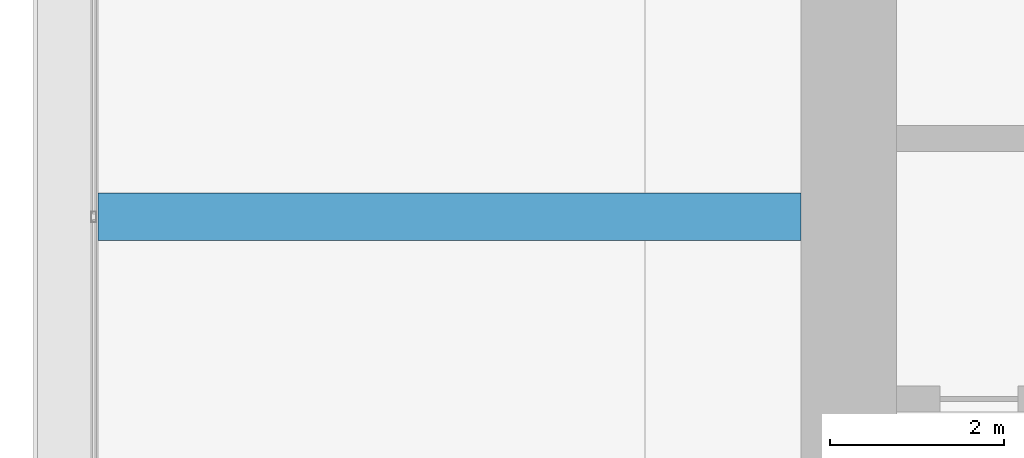
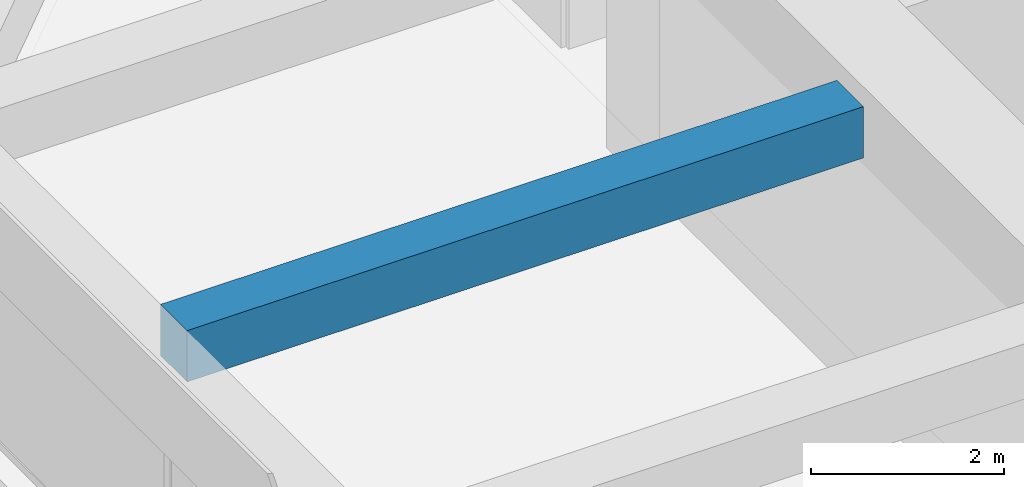
# One storey, part 17 of 44: 1 beam.
"""IFC4 building model written with IfcOpenShell, lengths in metres."""

import ifcopenshell
import ifcopenshell.guid

model = None  # the IFC model being written
_history = None  # IfcOwnerHistory: only IFC2X3 demands one
_inside = {}  # id of a spatial element -> (the spatial element, [elements in it])
_under = {}  # id of a project, library or spatial element -> (it, [spatial elements below it])
_declared = {}  # id of a project -> (the project, [libraries it declares])
_typed = {}  # id of a type object -> (the type object, [elements of that type])
_made_of = {}  # id of a material, layer set ... -> (it, [elements and type objects made of it])


def new_model(schema):
    """Start an empty IFC model of exactly this schema.

    Asked for "IFC4X3", IfcOpenShell would pick the latest addendum, in which some entities
    have other attributes; the version numbers below select the first issue.
    IFC2X3 requires an IfcOwnerHistory on every rooted entity: one is made here for all.
    """
    global model, _history
    if schema == "IFC4X3":
        model = ifcopenshell.file(schema_version=(4, 3, 0, 0))
    else:
        model = ifcopenshell.file(schema=schema)
    _inside.clear()
    _under.clear()
    _declared.clear()
    _typed.clear()
    _made_of.clear()
    _history = None
    if model.schema == "IFC2X3":
        org = make("IfcOrganization", Name="unknown")
        user = make(
            "IfcPersonAndOrganization",
            ThePerson=make("IfcPerson", FamilyName="unknown"),
            TheOrganization=org,
        )
        app = make(
            "IfcApplication",
            ApplicationDeveloper=org,
            Version="unknown",
            ApplicationFullName="unknown",
            ApplicationIdentifier="unknown",
        )
        _history = make(
            "IfcOwnerHistory",
            OwningUser=user,
            OwningApplication=app,
            ChangeAction="ADDED",
            CreationDate=0,
        )
    return model


def make(cls, **values):
    """One entity of the class cls with the attributes given. An attribute that is None is left unset."""
    return model.create_entity(
        cls, **{name: value for name, value in values.items() if value is not None}
    )


def rooted(cls, **values):
    """An entity with a GlobalId (a new one), such as an element, a storey or a relation."""
    return make(cls, GlobalId=ifcopenshell.guid.new(), OwnerHistory=_history, **values)


def si_unit(unit_type, name, prefix=None):
    """IfcSIUnit, for example si_unit("LENGTHUNIT", "METRE", prefix="MILLI")."""
    return make("IfcSIUnit", UnitType=unit_type, Prefix=prefix, Name=name)


def assignment(units):
    """IfcUnitAssignment: the units of a project."""
    return None if units is None else make("IfcUnitAssignment", Units=units)


def point(xyz):
    """IfcCartesianPoint."""
    return None if xyz is None else make("IfcCartesianPoint", Coordinates=xyz)


def direction(xyz):
    """IfcDirection."""
    return None if xyz is None else make("IfcDirection", DirectionRatios=xyz)


def frame(location, z_axis=None, x_axis=None):
    """IfcAxis2Placement3D, a coordinate frame: its origin and axes. An axis left out is left unset."""
    return make(
        "IfcAxis2Placement3D",
        Location=point(location),
        Axis=direction(z_axis),
        RefDirection=direction(x_axis),
    )


def frame_2d(location, x_axis=None):
    """IfcAxis2Placement2D, a coordinate frame in the plane: its origin and x axis."""
    return make(
        "IfcAxis2Placement2D", Location=point(location), RefDirection=direction(x_axis)
    )


def origin():
    """The frame at (0, 0, 0) with its axes left unset."""
    return frame((0.0, 0.0, 0.0))


def origin_2d():
    """The frame at (0, 0) in the plane with its x axis left unset."""
    return frame_2d((0.0, 0.0))


def place(relative_to, where):
    """IfcLocalPlacement: puts the frame where relative to a parent placement (None: the world)."""
    return make(
        "IfcLocalPlacement", PlacementRelTo=relative_to, RelativePlacement=where
    )


def context(
    kind, dimensions, precision=None, world=None, true_north=None, identifier=None
):
    """IfcGeometricRepresentationContext, for example the 3D "Model" context."""
    return make(
        "IfcGeometricRepresentationContext",
        ContextIdentifier=identifier,
        ContextType=kind,
        CoordinateSpaceDimension=dimensions,
        Precision=precision,
        WorldCoordinateSystem=world,
        TrueNorth=true_north,
    )


def subcontext(parent, identifier, kind, view, scale=None):
    """IfcGeometricRepresentationSubContext, for example "Body" below "Model"."""
    return make(
        "IfcGeometricRepresentationSubContext",
        ContextIdentifier=identifier,
        ContextType=kind,
        ParentContext=parent,
        TargetScale=scale,
        TargetView=view,
    )


def project(units=None, contexts=None):
    """IfcProject with its units and contexts."""
    return rooted(
        "IfcProject",
        Name="project",
        RepresentationContexts=contexts,
        UnitsInContext=assignment(units),
    )


def spatial(cls, under=None, at=None, **own):
    """A site, building, storey or space (cls), placed at a placement, below another one or the project."""
    s = rooted(cls, ObjectPlacement=at, **own)
    if under is not None:
        _under.setdefault(under.id(), (under, []))[1].append(s)
    return s


def profile(cls, at=None, kind="AREA", **sizes):
    """A parametric profile (cls). Its sizes go by their IFC names, for example OverallWidth=200.0."""
    return make(cls, ProfileType=kind, Position=at, **sizes)


def rectangle(**sizes):
    """IfcRectangleProfileDef."""
    return profile("IfcRectangleProfileDef", **sizes)


def extrude(swept, where, along, depth):
    """IfcExtrudedAreaSolid: the profile swept, set in the frame where, extruded along a direction by depth."""
    return make(
        "IfcExtrudedAreaSolid",
        SweptArea=swept,
        Position=where,
        ExtrudedDirection=direction(along),
        Depth=depth,
    )


def shape(context_of_items, identifier, shape_type, items):
    """IfcShapeRepresentation: the items that make up one representation, for example the "Body"."""
    return make(
        "IfcShapeRepresentation",
        ContextOfItems=context_of_items,
        RepresentationIdentifier=identifier,
        RepresentationType=shape_type,
        Items=items,
    )


def material(Name=None, Category=None):
    """IfcMaterial."""
    return make("IfcMaterial", Name=Name, Category=Category)


def material_profile(
    of_material, cross_section, Name=None, Category=None, Priority=None
):
    """IfcMaterialProfile: a cross section and its material."""
    return make(
        "IfcMaterialProfile",
        Name=Name,
        Material=of_material,
        Profile=cross_section,
        Priority=Priority,
        Category=Category,
    )


def profile_set(profiles, Name=None, composite=None):
    """IfcMaterialProfileSet."""
    return make(
        "IfcMaterialProfileSet",
        Name=Name,
        MaterialProfiles=profiles,
        CompositeProfile=composite,
    )


def made_of(thing, what):
    """Note that an element or type object is made of a material, layer set ...; save() writes the relation."""
    if what is not None:
        _made_of.setdefault(what.id(), (what, []))[1].append(thing)
    return thing


def type_object(cls, material=None, **own):
    """A type object (cls), such as IfcWallType, which elements share."""
    return made_of(rooted(cls, **own), material)


def element(
    cls,
    number,
    at=None,
    inside=None,
    cuts=None,
    type_object=None,
    material=None,
    context=None,
    identifier="Body",
    shape_type=None,
    held_by="IfcProductDefinitionShape",
    body=None,
    shapes=None,
    **own,
):
    """One element of the class cls, such as IfcWall. Its Tag is "e" and its number.

    at: its placement. inside: the storey or other place that contains it. cuts: it is an
    opening in that element (IfcRelVoidsElement). A single representation is given by context,
    identifier, shape_type and body (its items); several are given by shapes. held_by: the class
    of the entity that holds the representations. save() writes the other relations.
    """
    e = rooted(cls, Tag="e%d" % number, ObjectPlacement=at, **own)
    if body is not None:
        shapes = [shape(context, identifier, shape_type, body)]
    if shapes is not None:
        e.Representation = make(held_by, Representations=shapes)
    if inside is not None:
        _inside.setdefault(inside.id(), (inside, []))[1].append(e)
    if cuts is not None:
        rooted(
            "IfcRelVoidsElement", RelatingBuildingElement=cuts, RelatedOpeningElement=e
        )
    if type_object is not None:
        _typed.setdefault(type_object.id(), (type_object, []))[1].append(e)
    return made_of(e, material)


def aggregate(whole, parts):
    """IfcRelAggregates: a whole, such as a stair, and the parts it consists of."""
    return rooted("IfcRelAggregates", RelatingObject=whole, RelatedObjects=parts)


def save(model, path):
    """Write the relations noted so far, then the file.

    IfcRelAggregates (storeys below a building ...), IfcRelContainedInSpatialStructure (elements
    in a storey), IfcRelDefinesByType, IfcRelAssociatesMaterial and IfcRelDeclares: one each for
    every whole, place, type object, material and project.
    """
    for whole, parts in _under.values():
        aggregate(whole, parts)
    for where, things in _inside.values():
        rooted(
            "IfcRelContainedInSpatialStructure",
            RelatedElements=things,
            RelatingStructure=where,
        )
    for kind, things in _typed.values():
        rooted("IfcRelDefinesByType", RelatedObjects=things, RelatingType=kind)
    for what, things in _made_of.values():
        rooted("IfcRelAssociatesMaterial", RelatedObjects=things, RelatingMaterial=what)
    for by, libraries in _declared.values():
        rooted("IfcRelDeclares", RelatingContext=by, RelatedDefinitions=libraries)
    model.write(path)


model = new_model("IFC4")

# Units and contexts
model_context = context("Model", 3, precision=1e-05, world=origin(), true_north=direction((0.0, 1.0)))
body_context = subcontext(model_context, "Body", "Model", "MODEL_VIEW")
ifc_project = project(units=[si_unit("LENGTHUNIT", "METRE"), si_unit("AREAUNIT", "SQUARE_METRE"), si_unit("VOLUMEUNIT", "CUBIC_METRE"), si_unit("PLANEANGLEUNIT", "RADIAN"), si_unit("MASSUNIT", "GRAM", prefix="KILO")], contexts=[model_context])

# Site, building, storey
site_placement = place(None, origin())
site = spatial("IfcSite", under=ifc_project, at=site_placement, CompositionType="ELEMENT")
building_placement = place(site_placement, origin())
building = spatial("IfcBuilding", under=site, at=building_placement, Name="Zorevar Civic Tower", CompositionType="ELEMENT")
storey_placement = place(building_placement, frame((0.0, 0.0, 251.39990234375)))
storey = spatial("IfcBuildingStorey", under=building, at=storey_placement, Name="L61", CompositionType="ELEMENT", Elevation=251.39990234375)

# Beam
ifc_material = material(Name="Concrete C50/60", Category="concrete")
ifc_material_profile = material_profile(ifc_material, rectangle(XDim=0.550048828125, YDim=0.64990234375, at=origin_2d()), Name="RC 550x650")
ifc_profile_set = profile_set([ifc_material_profile], Name="Concrete C50/60")
beam_type = type_object("IfcBeamType", Name="Beam RC 550x650", PredefinedType="BEAM", material=ifc_profile_set)
beam_placement = place(storey_placement, frame((9.35009765625, 31.5, 3.425048828125), z_axis=(1.0, 0.0, 0.0), x_axis=(0.0, 1.0, 0.0)))
element("IfcBeam", 1, at=beam_placement, inside=storey, type_object=beam_type, Name="Secondary beam L62", PredefinedType="BEAM", context=body_context, shape_type="SweptSolid", body=[
    extrude(rectangle(XDim=0.550048828125, YDim=0.64990234375, at=origin_2d()), origin(), (0.0, 0.0, 1.0), 8.099853515625),
])

save(model, "model.ifc")
